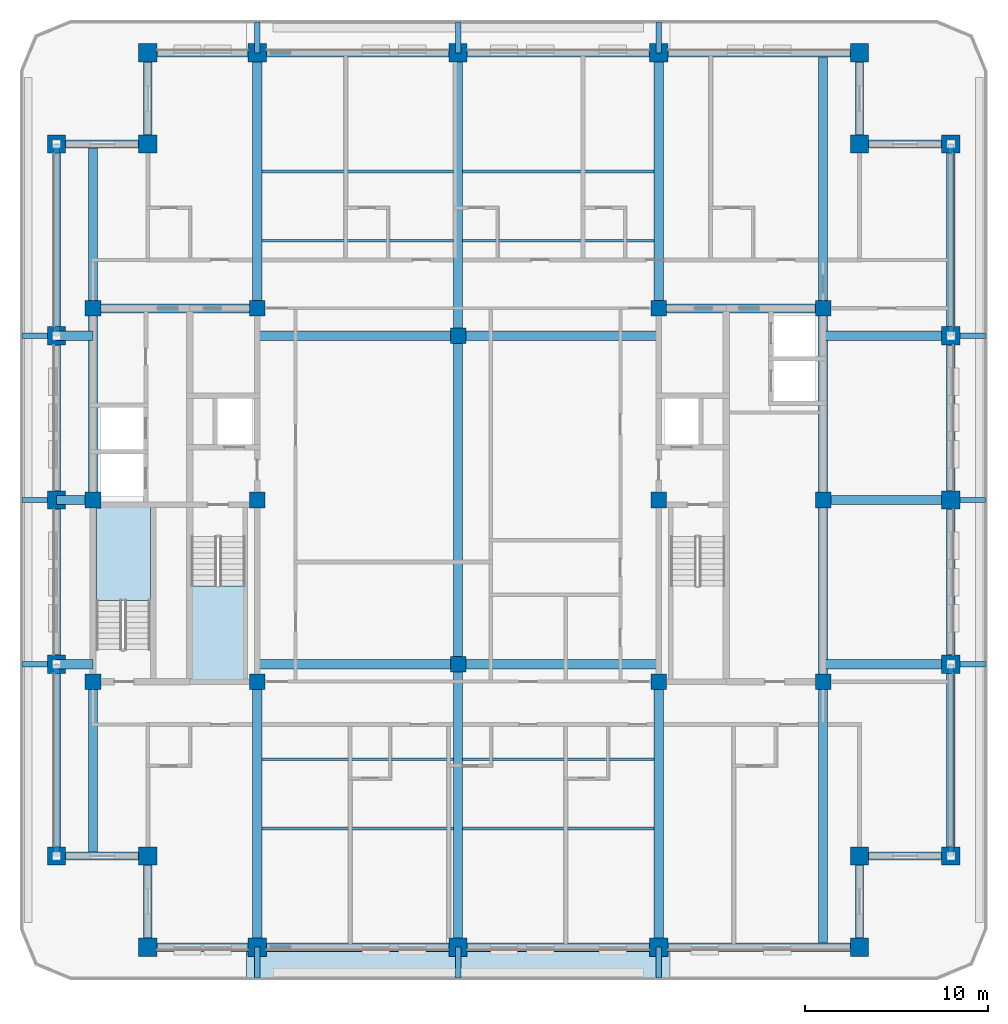
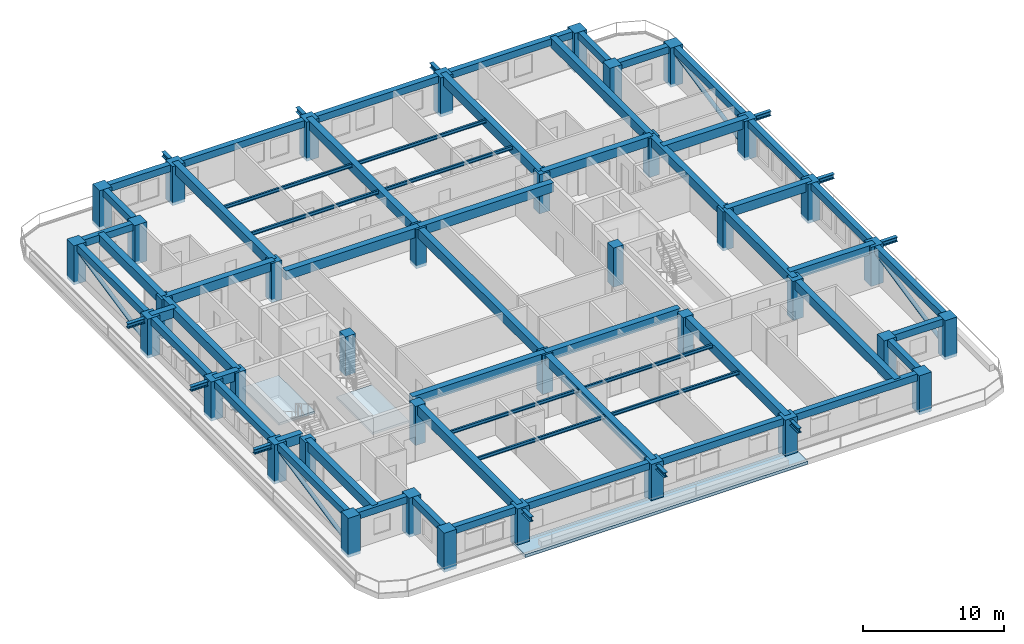
# One storey, part 1 of 13: 70 beams, 38 columns, 4 members, 3 slabs, 2 elements without a shape of their own.
"""IFC4 building model written with IfcOpenShell, lengths in metres."""

from ifc_helpers import new_model, si_unit, direction, frame, origin, origin_2d, place, context, subcontext, project, spatial, polyline, rectangle, hollow_circle, i_section, outline, extrude, material, layer, layer_set, material_profile, profile_set, type_object, element, aggregate, save


model = new_model("IFC4")

# Units and contexts
model_context = context("Model", 3, precision=1e-05, world=origin(), true_north=direction((0.0, 1.0)))
body_context = subcontext(model_context, "Body", "Model", "MODEL_VIEW")
ifc_project = project(units=[si_unit("LENGTHUNIT", "METRE"), si_unit("AREAUNIT", "SQUARE_METRE"), si_unit("VOLUMEUNIT", "CUBIC_METRE"), si_unit("PLANEANGLEUNIT", "RADIAN"), si_unit("MASSUNIT", "GRAM", prefix="KILO")], contexts=[model_context])

# Site, building, storey
site_placement = place(None, origin())
site = spatial("IfcSite", under=ifc_project, at=site_placement, CompositionType="ELEMENT")
building_placement = place(site_placement, origin())
building = spatial("IfcBuilding", under=site, at=building_placement, Name="Zulmaris Gate Convention Tower", CompositionType="ELEMENT")
storey_placement = place(building_placement, frame((0.0, 0.0, 166.059814453125)))
storey = spatial("IfcBuildingStorey", under=building, at=storey_placement, Name="L42", CompositionType="ELEMENT", Elevation=166.059814453125)

# Columns
ifc_material_1 = material(Name="Concrete C60/75", Category="concrete")
ifc_material_profile_1 = material_profile(ifc_material_1, rectangle(XDim=1.0, YDim=1.0, at=origin_2d()), Name="RC COL 1000x1000")
ifc_profile_set_1 = profile_set([ifc_material_profile_1], Name="Concrete C60/75")
column_type_1 = type_object("IfcColumnType", Name="COL-RC1000", PredefinedType="COLUMN", material=ifc_profile_set_1)
for number, where, z_axis, x_axis, name in (
    (1, (-17.0, -24.5, -0.25), (0.0, 0.0, 1.0), (1.0, 0.0, 0.0), "L42 Column PT--17.00_-24.50"),
    (2, (-11.0, -24.5, -0.25), (0.0, 0.0, 1.0), (1.0, 0.0, 0.0), "L42 Column PT--11.00_-24.50"),
    (3, (0.0, -24.5, -0.25), (0.0, 0.0, 1.0), (1.0, 0.0, 0.0), "L42 Column PT-+0.00_-24.50"),
    (4, (11.0, -24.5, -0.25), (0.0, 0.0, 1.0), (1.0, 0.0, 0.0), "L42 Column PT-+11.00_-24.50"),
    (5, (22.0, -24.5, -0.25), (0.0, 0.0, 1.0), (1.0, 0.0, 0.0), "L42 Column PT-+22.00_-24.50"),
    (6, (-17.0, 24.5, -0.25), (0.0, 0.0, 1.0), (1.0, 0.0, 0.0), "L42 Column PT--17.00_+24.50"),
    (7, (-11.0, 24.5, -0.25), (0.0, 0.0, 1.0), (1.0, 0.0, 0.0), "L42 Column PT--11.00_+24.50"),
    (8, (0.0, 24.5, -0.25), (0.0, 0.0, 1.0), (1.0, 0.0, 0.0), "L42 Column PT-+0.00_+24.50"),
    (9, (11.0, 24.5, -0.25), (0.0, 0.0, 1.0), (1.0, 0.0, 0.0), "L42 Column PT-+11.00_+24.50"),
    (10, (22.0, 24.5, -0.25), (0.0, 0.0, 1.0), (1.0, 0.0, 0.0), "L42 Column PT-+22.00_+24.50"),
    (11, (-22.0, -19.5, -0.25), (0.0, 0.0, 1.0), (1.0, 0.0, 0.0), "L42 Column PT--22.00_-19.50"),
    (12, (-22.0, -9.0, -0.25), (0.0, 0.0, 1.0), (1.0, 0.0, 0.0), "L42 Column PT--22.00_-9.00"),
    (13, (-22.0, 0.0, -0.25), (0.0, 0.0, 1.0), (1.0, 0.0, 0.0), "L42 Column PT--22.00_+0.00"),
    (14, (-22.0, 9.0, -0.25), (0.0, 0.0, 1.0), (1.0, 0.0, 0.0), "L42 Column PT--22.00_+9.00"),
    (15, (-22.0, 19.5, -0.25), (0.0, 0.0, 1.0), (1.0, 0.0, 0.0), "L42 Column PT--22.00_+19.50"),
    (16, (27.0, -19.5, -0.25), (0.0, 0.0, 1.0), (1.0, 0.0, 0.0), "L42 Column PT-+27.00_-19.50"),
    (17, (27.0, -9.0, -0.25), (0.0, 0.0, 1.0), (1.0, 0.0, 0.0), "L42 Column PT-+27.00_-9.00"),
    (18, (27.0, 0.0, -0.25), (0.0, 0.0, 1.0), (1.0, 0.0, 0.0), "L42 Column PT-+27.00_+0.00"),
    (19, (27.0, 9.0, -0.25), (0.0, 0.0, 1.0), (1.0, 0.0, 0.0), "L42 Column PT-+27.00_+9.00"),
    (20, (27.0, 19.5, -0.25), (0.0, 0.0, 1.0), (1.0, 0.0, 0.0), "L42 Column PT-+27.00_+19.50"),
    (21, (-17.0, -19.5, -0.25), (0.0, 0.0, 1.0), (1.0, 0.0, 0.0), "L42 Column PT--17.00_-19.50"),
    (22, (22.0, -19.5, -0.25), (0.0, 0.0, 1.0), (1.0, 0.0, 0.0), "L42 Column PT-+22.00_-19.50"),
    (23, (22.0, 19.5, -0.25), (0.0, 0.0, 1.0), (1.0, 0.0, 0.0), "L42 Column PT-+22.00_+19.50"),
    (24, (-17.0, 19.5, -0.25), (0.0, 0.0, 1.0), (1.0, 0.0, 0.0), "L42 Column PT--17.00_+19.50"),
):
    element("IfcColumn", number, at=place(storey_placement, frame(where, z_axis=z_axis, x_axis=x_axis)), inside=storey, type_object=column_type_1, Name=name, PredefinedType="COLUMN", context=body_context, shape_type="SweptSolid", body=[
        extrude(rectangle(XDim=1.0, YDim=1.0, at=origin_2d()), origin(), (0.0, 0.0, 1.0), 3.400146484375),
    ])
ifc_material_profile_2 = material_profile(ifc_material_1, rectangle(XDim=0.85009765625, YDim=0.85009765625, at=origin_2d()), Name="RC COL 850x850")
ifc_profile_set_2 = profile_set([ifc_material_profile_2], Name="Concrete C60/75")
column_type_2 = type_object("IfcColumnType", Name="COL-RC850", PredefinedType="COLUMN", material=ifc_profile_set_2)
for number, where, z_axis, x_axis, name in (
    (25, (-20.0, -9.949951171875, -0.25), (0.0, 0.0, 1.0), (1.0, 0.0, 0.0), "L42 Column IN--20.00_-9.95"),
    (26, (-20.0, 10.5, -0.25), (0.0, 0.0, 1.0), (1.0, 0.0, 0.0), "L42 Column IN--20.00_+10.50"),
    (27, (-11.0, -9.949951171875, -0.25), (0.0, 0.0, 1.0), (1.0, 0.0, 0.0), "L42 Column IN--11.00_-9.95"),
    (28, (-11.0, 0.0, -0.25), (0.0, 0.0, 1.0), (1.0, 0.0, 0.0), "L42 Column IN--11.00_+0.00"),
    (29, (-11.0, 10.5, -0.25), (0.0, 0.0, 1.0), (1.0, 0.0, 0.0), "L42 Column IN--11.00_+10.50"),
    (30, (11.0, -9.949951171875, -0.25), (0.0, 0.0, 1.0), (1.0, 0.0, 0.0), "L42 Column IN-+11.00_-9.95"),
    (31, (11.0, 0.0, -0.25), (0.0, 0.0, 1.0), (1.0, 0.0, 0.0), "L42 Column IN-+11.00_+0.00"),
    (32, (11.0, 10.5, -0.25), (0.0, 0.0, 1.0), (1.0, 0.0, 0.0), "L42 Column IN-+11.00_+10.50"),
    (33, (20.0, -9.949951171875, -0.25), (0.0, 0.0, 1.0), (1.0, 0.0, 0.0), "L42 Column IN-+20.00_-9.95"),
    (34, (20.0, 10.5, -0.25), (0.0, 0.0, 1.0), (1.0, 0.0, 0.0), "L42 Column IN-+20.00_+10.50"),
    (35, (0.0, -9.0, -0.25), (0.0, 0.0, 1.0), (1.0, 0.0, 0.0), "L42 Column IN-+0.00_-9.00"),
    (36, (0.0, 9.0, -0.25), (0.0, 0.0, 1.0), (1.0, 0.0, 0.0), "L42 Column IN-+0.00_+9.00"),
    (37, (-20.0, 0.0, -0.25), (0.0, 0.0, 1.0), (1.0, 0.0, 0.0), "L42 Column IN--20.00_+0.00"),
    (38, (20.0, 0.0, -0.25), (0.0, 0.0, 1.0), (1.0, 0.0, 0.0), "L42 Column IN-+20.00_+0.00"),
):
    element("IfcColumn", number, at=place(storey_placement, frame(where, z_axis=z_axis, x_axis=x_axis)), inside=storey, type_object=column_type_2, Name=name, PredefinedType="COLUMN", context=body_context, shape_type="SweptSolid", body=[
        extrude(rectangle(XDim=0.85009765625, YDim=0.85009765625, at=origin_2d()), origin(), (0.0, 0.0, 1.0), 3.400146484375),
    ])

# Beams
ifc_material_2 = material(Name="Steel S355", Category="steel")
ifc_material_profile_3 = material_profile(ifc_material_2, i_section(OverallWidth=0.300048828125, OverallDepth=0.39990234375, WebThickness=0.013427734375, FlangeThickness=0.02392578125, FilletRadius=0.027099609375, at=origin_2d()), Name="HEB 400")
ifc_profile_set_3 = profile_set([ifc_material_profile_3], Name="Steel S355")
beam_type_1 = type_object("IfcBeamType", Name="BM-HEB400", PredefinedType="BEAM", material=ifc_profile_set_3)
for number, where, z_axis, x_axis, name in (
    (39, (-11.0, -26.199951171875, 2.810302734375), (0.0, 1.0, 0.0), (-1.0, 0.0, 0.0), "L42 Beam TBRK-L42-S--11"),
    (40, (-11.0, 24.5, 2.810302734375), (0.0, 1.0, 0.0), (-1.0, 0.0, 0.0), "L42 Beam TBRK-L42-N--11"),
    (41, (0.0, -26.199951171875, 2.810302734375), (0.0, 1.0, 0.0), (-1.0, 0.0, 0.0), "L42 Beam TBRK-L42-S-+0"),
    (42, (0.0, 24.5, 2.810302734375), (0.0, 1.0, 0.0), (-1.0, 0.0, 0.0), "L42 Beam TBRK-L42-N-+0"),
    (43, (11.0, -26.199951171875, 2.810302734375), (0.0, 1.0, 0.0), (-1.0, 0.0, 0.0), "L42 Beam TBRK-L42-S-+11"),
    (44, (11.0, 24.5, 2.810302734375), (0.0, 1.0, 0.0), (-1.0, 0.0, 0.0), "L42 Beam TBRK-L42-N-+11"),
):
    element("IfcBeam", number, at=place(storey_placement, frame(where, z_axis=z_axis, x_axis=x_axis)), inside=storey, type_object=beam_type_1, Name=name, PredefinedType="BEAM", context=body_context, shape_type="SweptSolid", body=[
        extrude(i_section(OverallWidth=0.300048828125, OverallDepth=0.39990234375, WebThickness=0.013427734375, FlangeThickness=0.02392578125, FilletRadius=0.027099609375, at=origin_2d()), origin(), (0.0, 0.0, 1.0), 1.699951171875),
    ])
for number, where, z_axis, x_axis, name in (
    (45, (-23.89990234375, -9.0, 2.810302734375), (1.0, 0.0, 0.0), (0.0, 1.0, 0.0), "L42 Beam TBRK-L42-W--9"),
    (46, (27.0, -9.0, 2.810302734375), (1.0, 0.0, 0.0), (0.0, 1.0, 0.0), "L42 Beam TBRK-L42-E--9"),
    (47, (-23.89990234375, 0.0, 2.810302734375), (1.0, 0.0, 0.0), (0.0, 1.0, 0.0), "L42 Beam TBRK-L42-W-+0"),
    (48, (27.0, 0.0, 2.810302734375), (1.0, 0.0, 0.0), (0.0, 1.0, 0.0), "L42 Beam TBRK-L42-E-+0"),
    (49, (-23.89990234375, 9.0, 2.810302734375), (1.0, 0.0, 0.0), (0.0, 1.0, 0.0), "L42 Beam TBRK-L42-W-+9"),
    (50, (27.0, 9.0, 2.810302734375), (1.0, 0.0, 0.0), (0.0, 1.0, 0.0), "L42 Beam TBRK-L42-E-+9"),
):
    element("IfcBeam", number, at=place(storey_placement, frame(where, z_axis=z_axis, x_axis=x_axis)), inside=storey, type_object=beam_type_1, Name=name, PredefinedType="BEAM", context=body_context, shape_type="SweptSolid", body=[
        extrude(i_section(OverallWidth=0.300048828125, OverallDepth=0.39990234375, WebThickness=0.013427734375, FlangeThickness=0.02392578125, FilletRadius=0.027099609375, at=origin_2d()), origin(), (0.0, 0.0, 1.0), 1.89990234375),
    ])
ifc_material_3 = material(Name="Concrete C50/60", Category="concrete")
ifc_material_profile_4 = material_profile(ifc_material_3, rectangle(XDim=0.5, YDim=0.800048828125, at=origin_2d()), Name="RC BEAM 500x800")
ifc_profile_set_4 = profile_set([ifc_material_profile_4], Name="Concrete C50/60")
beam_type_2 = type_object("IfcBeamType", Name="BM-RC500x800", PredefinedType="BEAM", material=ifc_profile_set_4)
for number, where, z_axis, x_axis, name in (
    (51, (-11.0, -9.0, 2.750244140625), (1.0, 0.0, 0.0), (0.0, 1.0, 0.0), "L42 Beam BM-L42-G01"),
    (52, (0.0, -9.0, 2.750244140625), (1.0, 0.0, 0.0), (0.0, 1.0, 0.0), "L42 Beam BM-L42-G02"),
    (53, (-11.0, 9.0, 2.750244140625), (1.0, 0.0, 0.0), (0.0, 1.0, 0.0), "L42 Beam BM-L42-G03"),
    (54, (0.0, 9.0, 2.750244140625), (1.0, 0.0, 0.0), (0.0, 1.0, 0.0), "L42 Beam BM-L42-G04"),
):
    element("IfcBeam", number, at=place(storey_placement, frame(where, z_axis=z_axis, x_axis=x_axis)), inside=storey, type_object=beam_type_2, Name=name, PredefinedType="BEAM", context=body_context, shape_type="SweptSolid", body=[
        extrude(rectangle(XDim=0.5, YDim=0.800048828125, at=origin_2d()), origin(), (0.0, 0.0, 1.0), 11.0),
    ])
beam_1_placement = place(storey_placement, frame((0.0, -24.5, 2.750244140625), z_axis=(0.0, 1.0, 0.0), x_axis=(-1.0, 0.0, 0.0)))
element("IfcBeam", 55, at=beam_1_placement, inside=storey, type_object=beam_type_2, Name="L42 Beam BM-L42-G05", PredefinedType="BEAM", context=body_context, shape_type="SweptSolid", body=[
    extrude(rectangle(XDim=0.5, YDim=0.800048828125, at=origin_2d()), origin(), (0.0, 0.0, 1.0), 15.5),
])
beam_2_placement = place(storey_placement, frame((0.0, -9.0, 2.750244140625), z_axis=(0.0, 1.0, 0.0), x_axis=(-1.0, 0.0, 0.0)))
element("IfcBeam", 56, at=beam_2_placement, inside=storey, type_object=beam_type_2, Name="L42 Beam BM-L42-G06", PredefinedType="BEAM", context=body_context, shape_type="SweptSolid", body=[
    extrude(rectangle(XDim=0.5, YDim=0.800048828125, at=origin_2d()), origin(), (0.0, 0.0, 1.0), 18.0),
])
beam_3_placement = place(storey_placement, frame((0.0, 9.0, 2.750244140625), z_axis=(0.0, 1.0, 0.0), x_axis=(-1.0, 0.0, 0.0)))
element("IfcBeam", 57, at=beam_3_placement, inside=storey, type_object=beam_type_2, Name="L42 Beam BM-L42-G07", PredefinedType="BEAM", context=body_context, shape_type="SweptSolid", body=[
    extrude(rectangle(XDim=0.5, YDim=0.800048828125, at=origin_2d()), origin(), (0.0, 0.0, 1.0), 15.5),
])
beam_4_placement = place(storey_placement, frame((-11.0, -24.5, 2.750244140625), z_axis=(0.0, 1.0, 0.0), x_axis=(-1.0, 0.0, 0.0)))
element("IfcBeam", 58, at=beam_4_placement, inside=storey, type_object=beam_type_2, Name="L42 Beam BM-L42-G08", PredefinedType="BEAM", context=body_context, shape_type="SweptSolid", body=[
    extrude(rectangle(XDim=0.5, YDim=0.800048828125, at=origin_2d()), origin(), (0.0, 0.0, 1.0), 14.550048828125),
])
beam_5_placement = place(storey_placement, frame((-11.0, 10.5, 2.750244140625), z_axis=(0.0, 1.0, 0.0), x_axis=(-1.0, 0.0, 0.0)))
element("IfcBeam", 59, at=beam_5_placement, inside=storey, type_object=beam_type_2, Name="L42 Beam BM-L42-G09", PredefinedType="BEAM", context=body_context, shape_type="SweptSolid", body=[
    extrude(rectangle(XDim=0.5, YDim=0.800048828125, at=origin_2d()), origin(), (0.0, 0.0, 1.0), 14.0),
])
beam_6_placement = place(storey_placement, frame((11.0, -24.5, 2.750244140625), z_axis=(0.0, 1.0, 0.0), x_axis=(-1.0, 0.0, 0.0)))
element("IfcBeam", 60, at=beam_6_placement, inside=storey, type_object=beam_type_2, Name="L42 Beam BM-L42-G10", PredefinedType="BEAM", context=body_context, shape_type="SweptSolid", body=[
    extrude(rectangle(XDim=0.5, YDim=0.800048828125, at=origin_2d()), origin(), (0.0, 0.0, 1.0), 14.550048828125),
])
beam_7_placement = place(storey_placement, frame((11.0, 10.5, 2.750244140625), z_axis=(0.0, 1.0, 0.0), x_axis=(-1.0, 0.0, 0.0)))
element("IfcBeam", 61, at=beam_7_placement, inside=storey, type_object=beam_type_2, Name="L42 Beam BM-L42-G11", PredefinedType="BEAM", context=body_context, shape_type="SweptSolid", body=[
    extrude(rectangle(XDim=0.5, YDim=0.800048828125, at=origin_2d()), origin(), (0.0, 0.0, 1.0), 14.0),
])
beam_8_placement = place(storey_placement, frame((-20.0, -19.5, 2.750244140625), z_axis=(0.0, 1.0, 0.0), x_axis=(-1.0, 0.0, 0.0)))
element("IfcBeam", 62, at=beam_8_placement, inside=storey, type_object=beam_type_2, Name="L42 Beam BM-L42-G12", PredefinedType="BEAM", context=body_context, shape_type="SweptSolid", body=[
    extrude(rectangle(XDim=0.5, YDim=0.800048828125, at=origin_2d()), origin(), (0.0, 0.0, 1.0), 9.550048828125),
])
beam_9_placement = place(storey_placement, frame((-20.0, 10.5, 2.750244140625), z_axis=(0.0, 1.0, 0.0), x_axis=(-1.0, 0.0, 0.0)))
element("IfcBeam", 63, at=beam_9_placement, inside=storey, type_object=beam_type_2, Name="L42 Beam BM-L42-G13", PredefinedType="BEAM", context=body_context, shape_type="SweptSolid", body=[
    extrude(rectangle(XDim=0.5, YDim=0.800048828125, at=origin_2d()), origin(), (0.0, 0.0, 1.0), 9.0),
])
beam_10_placement = place(storey_placement, frame((20.0, -24.5, 2.750244140625), z_axis=(0.0, 1.0, 0.0), x_axis=(-1.0, 0.0, 0.0)))
element("IfcBeam", 64, at=beam_10_placement, inside=storey, type_object=beam_type_2, Name="L42 Beam BM-L42-G14", PredefinedType="BEAM", context=body_context, shape_type="SweptSolid", body=[
    extrude(rectangle(XDim=0.5, YDim=0.800048828125, at=origin_2d()), origin(), (0.0, 0.0, 1.0), 14.550048828125),
])
beam_11_placement = place(storey_placement, frame((20.0, 10.5, 2.750244140625), z_axis=(0.0, 1.0, 0.0), x_axis=(-1.0, 0.0, 0.0)))
element("IfcBeam", 65, at=beam_11_placement, inside=storey, type_object=beam_type_2, Name="L42 Beam BM-L42-G15", PredefinedType="BEAM", context=body_context, shape_type="SweptSolid", body=[
    extrude(rectangle(XDim=0.5, YDim=0.800048828125, at=origin_2d()), origin(), (0.0, 0.0, 1.0), 14.0),
])
for number, where, z_axis, x_axis, name in (
    (66, (-22.0, -9.0, 2.750244140625), (1.0, 0.0, 0.0), (0.0, 1.0, 0.0), "L42 Beam BM-L42-G16"),
    (67, (-22.0, 0.0, 2.750244140625), (1.0, 0.0, 0.0), (0.0, 1.0, 0.0), "L42 Beam BM-L42-G17"),
    (68, (-22.0, 9.0, 2.750244140625), (1.0, 0.0, 0.0), (0.0, 1.0, 0.0), "L42 Beam BM-L42-G18"),
):
    element("IfcBeam", number, at=place(storey_placement, frame(where, z_axis=z_axis, x_axis=x_axis)), inside=storey, type_object=beam_type_2, Name=name, PredefinedType="BEAM", context=body_context, shape_type="SweptSolid", body=[
        extrude(rectangle(XDim=0.5, YDim=0.800048828125, at=origin_2d()), origin(), (0.0, 0.0, 1.0), 2.0),
    ])
for number, where, z_axis, x_axis, name in (
    (69, (20.0, -9.0, 2.750244140625), (1.0, 0.0, 0.0), (0.0, 1.0, 0.0), "L42 Beam BM-L42-G19"),
    (70, (20.0, 0.0, 2.750244140625), (1.0, 0.0, 0.0), (0.0, 1.0, 0.0), "L42 Beam BM-L42-G20"),
    (71, (20.0, 9.0, 2.750244140625), (1.0, 0.0, 0.0), (0.0, 1.0, 0.0), "L42 Beam BM-L42-G21"),
):
    element("IfcBeam", number, at=place(storey_placement, frame(where, z_axis=z_axis, x_axis=x_axis)), inside=storey, type_object=beam_type_2, Name=name, PredefinedType="BEAM", context=body_context, shape_type="SweptSolid", body=[
        extrude(rectangle(XDim=0.5, YDim=0.800048828125, at=origin_2d()), origin(), (0.0, 0.0, 1.0), 7.0),
    ])
for number, where, z_axis, x_axis, name in (
    (72, (-20.0, 10.5, 2.750244140625), (1.0, 0.0, 0.0), (0.0, 1.0, 0.0), "L42 Beam BM-L42-G23"),
    (73, (11.0, 10.5, 2.750244140625), (1.0, 0.0, 0.0), (0.0, 1.0, 0.0), "L42 Beam BM-L42-G25"),
):
    element("IfcBeam", number, at=place(storey_placement, frame(where, z_axis=z_axis, x_axis=x_axis)), inside=storey, type_object=beam_type_2, Name=name, PredefinedType="BEAM", context=body_context, shape_type="SweptSolid", body=[
        extrude(rectangle(XDim=0.5, YDim=0.800048828125, at=origin_2d()), origin(), (0.0, 0.0, 1.0), 9.0),
    ])
beam_12_placement = place(storey_placement, frame((-20.0, 0.0, 2.750244140625), z_axis=(0.0, 1.0, 0.0), x_axis=(-1.0, 0.0, 0.0)))
element("IfcBeam", 74, at=beam_12_placement, inside=storey, type_object=beam_type_2, Name="L42 Beam BM-L42-G27", PredefinedType="BEAM", context=body_context, shape_type="SweptSolid", body=[
    extrude(rectangle(XDim=0.5, YDim=0.800048828125, at=origin_2d()), origin(), (0.0, 0.0, 1.0), 10.5),
])
beam_13_placement = place(storey_placement, frame((20.0, -9.949951171875, 2.750244140625), z_axis=(0.0, 1.0, 0.0), x_axis=(-1.0, 0.0, 0.0)))
element("IfcBeam", 75, at=beam_13_placement, inside=storey, type_object=beam_type_2, Name="L42 Beam BM-L42-G28", PredefinedType="BEAM", context=body_context, shape_type="SweptSolid", body=[
    extrude(rectangle(XDim=0.5, YDim=0.800048828125, at=origin_2d()), origin(), (0.0, 0.0, 1.0), 9.949951171875),
])
beam_14_placement = place(storey_placement, frame((20.0, 0.0, 2.750244140625), z_axis=(0.0, 1.0, 0.0), x_axis=(-1.0, 0.0, 0.0)))
element("IfcBeam", 76, at=beam_14_placement, inside=storey, type_object=beam_type_2, Name="L42 Beam BM-L42-G29", PredefinedType="BEAM", context=body_context, shape_type="SweptSolid", body=[
    extrude(rectangle(XDim=0.5, YDim=0.800048828125, at=origin_2d()), origin(), (0.0, 0.0, 1.0), 10.5),
])
ifc_material_4 = material(Name="Precast concrete C50/60", Category="concrete")
ifc_material_profile_5 = material_profile(ifc_material_4, rectangle(XDim=0.449951171875, YDim=0.60009765625, at=origin_2d()), Name="RC SPANDREL 450x600")
ifc_profile_set_5 = profile_set([ifc_material_profile_5], Name="Precast concrete C50/60")
beam_type_3 = type_object("IfcBeamType", Name="BM-SP450x600", PredefinedType="SPANDREL", material=ifc_profile_set_5)
beam_15_placement = place(storey_placement, frame((-17.0, -24.5, 2.85009765625), z_axis=(1.0, 0.0, 0.0), x_axis=(0.0, 1.0, 0.0)))
element("IfcBeam", 77, at=beam_15_placement, inside=storey, type_object=beam_type_3, Name="L42 Spandrel SP-L42-01", PredefinedType="SPANDREL", context=body_context, shape_type="SweptSolid", body=[
    extrude(rectangle(XDim=0.449951171875, YDim=0.60009765625, at=origin_2d()), origin(), (0.0, 0.0, 1.0), 6.0),
])
for number, where, z_axis, x_axis, name in (
    (78, (-11.0, -24.5, 2.85009765625), (1.0, 0.0, 0.0), (0.0, 1.0, 0.0), "L42 Spandrel SP-L42-02"),
    (79, (0.0, -24.5, 2.85009765625), (1.0, 0.0, 0.0), (0.0, 1.0, 0.0), "L42 Spandrel SP-L42-03"),
    (80, (11.0, -24.5, 2.85009765625), (1.0, 0.0, 0.0), (0.0, 1.0, 0.0), "L42 Spandrel SP-L42-04"),
):
    element("IfcBeam", number, at=place(storey_placement, frame(where, z_axis=z_axis, x_axis=x_axis)), inside=storey, type_object=beam_type_3, Name=name, PredefinedType="SPANDREL", context=body_context, shape_type="SweptSolid", body=[
        extrude(rectangle(XDim=0.449951171875, YDim=0.60009765625, at=origin_2d()), origin(), (0.0, 0.0, 1.0), 11.0),
    ])
for number, where, z_axis, x_axis, name in (
    (81, (22.0, -24.5, 2.85009765625), (0.0, 1.0, 0.0), (-1.0, 0.0, 0.0), "L42 Spandrel SP-L42-05"),
    (82, (22.0, -19.5, 2.85009765625), (1.0, 0.0, 0.0), (0.0, 1.0, 0.0), "L42 Spandrel SP-L42-06"),
):
    element("IfcBeam", number, at=place(storey_placement, frame(where, z_axis=z_axis, x_axis=x_axis)), inside=storey, type_object=beam_type_3, Name=name, PredefinedType="SPANDREL", context=body_context, shape_type="SweptSolid", body=[
        extrude(rectangle(XDim=0.449951171875, YDim=0.60009765625, at=origin_2d()), origin(), (0.0, 0.0, 1.0), 5.0),
    ])
beam_16_placement = place(storey_placement, frame((27.0, -19.5, 2.85009765625), z_axis=(0.0, 1.0, 0.0), x_axis=(-1.0, 0.0, 0.0)))
element("IfcBeam", 83, at=beam_16_placement, inside=storey, type_object=beam_type_3, Name="L42 Spandrel SP-L42-07", PredefinedType="SPANDREL", context=body_context, shape_type="SweptSolid", body=[
    extrude(rectangle(XDim=0.449951171875, YDim=0.60009765625, at=origin_2d()), origin(), (0.0, 0.0, 1.0), 10.5),
])
for number, where, z_axis, x_axis, name in (
    (84, (27.0, -9.0, 2.85009765625), (0.0, 1.0, 0.0), (-1.0, 0.0, 0.0), "L42 Spandrel SP-L42-08"),
    (85, (27.0, 0.0, 2.85009765625), (0.0, 1.0, 0.0), (-1.0, 0.0, 0.0), "L42 Spandrel SP-L42-09"),
):
    element("IfcBeam", number, at=place(storey_placement, frame(where, z_axis=z_axis, x_axis=x_axis)), inside=storey, type_object=beam_type_3, Name=name, PredefinedType="SPANDREL", context=body_context, shape_type="SweptSolid", body=[
        extrude(rectangle(XDim=0.449951171875, YDim=0.60009765625, at=origin_2d()), origin(), (0.0, 0.0, 1.0), 9.0),
    ])
beam_17_placement = place(storey_placement, frame((27.0, 9.0, 2.85009765625), z_axis=(0.0, 1.0, 0.0), x_axis=(-1.0, 0.0, 0.0)))
element("IfcBeam", 86, at=beam_17_placement, inside=storey, type_object=beam_type_3, Name="L42 Spandrel SP-L42-10", PredefinedType="SPANDREL", context=body_context, shape_type="SweptSolid", body=[
    extrude(rectangle(XDim=0.449951171875, YDim=0.60009765625, at=origin_2d()), origin(), (0.0, 0.0, 1.0), 10.5),
])
for number, where, z_axis, x_axis, name in (
    (87, (27.0, 19.5, 2.85009765625), (-1.0, 0.0, 0.0), (0.0, -1.0, 0.0), "L42 Spandrel SP-L42-11"),
    (88, (22.0, 19.5, 2.85009765625), (0.0, 1.0, 0.0), (-1.0, 0.0, 0.0), "L42 Spandrel SP-L42-12"),
):
    element("IfcBeam", number, at=place(storey_placement, frame(where, z_axis=z_axis, x_axis=x_axis)), inside=storey, type_object=beam_type_3, Name=name, PredefinedType="SPANDREL", context=body_context, shape_type="SweptSolid", body=[
        extrude(rectangle(XDim=0.449951171875, YDim=0.60009765625, at=origin_2d()), origin(), (0.0, 0.0, 1.0), 5.0),
    ])
for number, where, z_axis, x_axis, name in (
    (89, (22.0, 24.5, 2.85009765625), (-1.0, 0.0, 0.0), (0.0, -1.0, 0.0), "L42 Spandrel SP-L42-13"),
    (90, (11.0, 24.5, 2.85009765625), (-1.0, 0.0, 0.0), (0.0, -1.0, 0.0), "L42 Spandrel SP-L42-14"),
    (91, (0.0, 24.5, 2.85009765625), (-1.0, 0.0, 0.0), (0.0, -1.0, 0.0), "L42 Spandrel SP-L42-15"),
):
    element("IfcBeam", number, at=place(storey_placement, frame(where, z_axis=z_axis, x_axis=x_axis)), inside=storey, type_object=beam_type_3, Name=name, PredefinedType="SPANDREL", context=body_context, shape_type="SweptSolid", body=[
        extrude(rectangle(XDim=0.449951171875, YDim=0.60009765625, at=origin_2d()), origin(), (0.0, 0.0, 1.0), 11.0),
    ])
beam_18_placement = place(storey_placement, frame((-11.0, 24.5, 2.85009765625), z_axis=(-1.0, 0.0, 0.0), x_axis=(0.0, -1.0, 0.0)))
element("IfcBeam", 92, at=beam_18_placement, inside=storey, type_object=beam_type_3, Name="L42 Spandrel SP-L42-16", PredefinedType="SPANDREL", context=body_context, shape_type="SweptSolid", body=[
    extrude(rectangle(XDim=0.449951171875, YDim=0.60009765625, at=origin_2d()), origin(), (0.0, 0.0, 1.0), 6.0),
])
for number, where, z_axis, x_axis, name in (
    (93, (-17.0, 24.5, 2.85009765625), (0.0, -1.0, 0.0), (1.0, 0.0, 0.0), "L42 Spandrel SP-L42-17"),
    (94, (-17.0, 19.5, 2.85009765625), (-1.0, 0.0, 0.0), (0.0, -1.0, 0.0), "L42 Spandrel SP-L42-18"),
):
    element("IfcBeam", number, at=place(storey_placement, frame(where, z_axis=z_axis, x_axis=x_axis)), inside=storey, type_object=beam_type_3, Name=name, PredefinedType="SPANDREL", context=body_context, shape_type="SweptSolid", body=[
        extrude(rectangle(XDim=0.449951171875, YDim=0.60009765625, at=origin_2d()), origin(), (0.0, 0.0, 1.0), 5.0),
    ])
beam_19_placement = place(storey_placement, frame((-22.0, 19.5, 2.85009765625), z_axis=(0.0, -1.0, 0.0), x_axis=(1.0, 0.0, 0.0)))
element("IfcBeam", 95, at=beam_19_placement, inside=storey, type_object=beam_type_3, Name="L42 Spandrel SP-L42-19", PredefinedType="SPANDREL", context=body_context, shape_type="SweptSolid", body=[
    extrude(rectangle(XDim=0.449951171875, YDim=0.60009765625, at=origin_2d()), origin(), (0.0, 0.0, 1.0), 10.5),
])
for number, where, z_axis, x_axis, name in (
    (96, (-22.0, 9.0, 2.85009765625), (0.0, -1.0, 0.0), (1.0, 0.0, 0.0), "L42 Spandrel SP-L42-20"),
    (97, (-22.0, 0.0, 2.85009765625), (0.0, -1.0, 0.0), (1.0, 0.0, 0.0), "L42 Spandrel SP-L42-21"),
):
    element("IfcBeam", number, at=place(storey_placement, frame(where, z_axis=z_axis, x_axis=x_axis)), inside=storey, type_object=beam_type_3, Name=name, PredefinedType="SPANDREL", context=body_context, shape_type="SweptSolid", body=[
        extrude(rectangle(XDim=0.449951171875, YDim=0.60009765625, at=origin_2d()), origin(), (0.0, 0.0, 1.0), 9.0),
    ])
beam_20_placement = place(storey_placement, frame((-22.0, -9.0, 2.85009765625), z_axis=(0.0, -1.0, 0.0), x_axis=(1.0, 0.0, 0.0)))
element("IfcBeam", 98, at=beam_20_placement, inside=storey, type_object=beam_type_3, Name="L42 Spandrel SP-L42-22", PredefinedType="SPANDREL", context=body_context, shape_type="SweptSolid", body=[
    extrude(rectangle(XDim=0.449951171875, YDim=0.60009765625, at=origin_2d()), origin(), (0.0, 0.0, 1.0), 10.5),
])
for number, where, z_axis, x_axis, name in (
    (99, (-22.0, -19.5, 2.85009765625), (1.0, 0.0, 0.0), (0.0, 1.0, 0.0), "L42 Spandrel SP-L42-23"),
    (100, (-17.0, -19.5, 2.85009765625), (0.0, -1.0, 0.0), (1.0, 0.0, 0.0), "L42 Spandrel SP-L42-24"),
):
    element("IfcBeam", number, at=place(storey_placement, frame(where, z_axis=z_axis, x_axis=x_axis)), inside=storey, type_object=beam_type_3, Name=name, PredefinedType="SPANDREL", context=body_context, shape_type="SweptSolid", body=[
        extrude(rectangle(XDim=0.449951171875, YDim=0.60009765625, at=origin_2d()), origin(), (0.0, 0.0, 1.0), 5.0),
    ])

# Members
ifc_material_profile_6 = material_profile(ifc_material_2, hollow_circle(Radius=0.161865234375, WallThickness=0.01611328125, at=origin_2d()), Name="CHS 323.9x16")
ifc_profile_set_6 = profile_set([ifc_material_profile_6], Name="Steel S355")
member_type = type_object("IfcMemberType", Name="BR-CHS324", PredefinedType="BRACE", material=ifc_profile_set_6)
for number, where, z_axis, x_axis, name in (
    (101, (-22.0, -19.5, 0.300048828125), (0.0, 0.978178268729, 0.207767356883), (-1.0, 0.0, 0.0), "L42 Perimeter Tube Diagonal SW-W"),
    (102, (-22.0, 9.0, 0.300048828125), (0.0, 0.978178268729, 0.207767356883), (-1.0, 0.0, 0.0), "L42 Perimeter Tube Diagonal NW-W"),
    (103, (27.0, -19.5, 0.300048828125), (0.0, 0.978178268729, 0.207767356883), (-1.0, 0.0, 0.0), "L42 Perimeter Tube Diagonal SE-E"),
    (104, (27.0, 9.0, 0.300048828125), (0.0, 0.978178268729, 0.207767356883), (-1.0, 0.0, 0.0), "L42 Perimeter Tube Diagonal NE-E"),
):
    element("IfcMember", number, at=place(storey_placement, frame(where, z_axis=z_axis, x_axis=x_axis)), inside=storey, type_object=member_type, Name=name, PredefinedType="BRACE", context=body_context, shape_type="SweptSolid", body=[
        extrude(hollow_circle(Radius=0.161865234375, WallThickness=0.01611328125, at=origin_2d()), origin(), (0.0, 0.0, 1.0), 10.734130859375),
    ])

# Beams
ifc_material_profile_7 = material_profile(ifc_material_2, i_section(OverallWidth=0.14990234375, OverallDepth=0.300048828125, WebThickness=0.007080078125, FlangeThickness=0.0107421875, FilletRadius=0.014892578125, at=origin_2d()), Name="IPE 300")
ifc_profile_set_7 = profile_set([ifc_material_profile_7], Name="Steel S355")
beam_type_4 = type_object("IfcBeamType", Name="JT-IPE300", PredefinedType="JOIST", material=ifc_profile_set_7)
for number, where, z_axis, x_axis, name in (
    (105, (-10.75, -18.0, 2.998291015625), (1.0, 0.0, 0.0), (0.0, 1.0, 0.0), "L42 Joist JT-L42-CW--18.0"),
    (106, (0.25, -18.0, 2.998291015625), (1.0, 0.0, 0.0), (0.0, 1.0, 0.0), "L42 Joist JT-L42-CE--18.0"),
    (107, (-10.75, -14.199951171875, 2.998291015625), (1.0, 0.0, 0.0), (0.0, 1.0, 0.0), "L42 Joist JT-L42-CW--14.2"),
    (108, (0.25, -14.199951171875, 2.998291015625), (1.0, 0.0, 0.0), (0.0, 1.0, 0.0), "L42 Joist JT-L42-CE--14.2"),
    (109, (-10.75, 14.199951171875, 2.998291015625), (1.0, 0.0, 0.0), (0.0, 1.0, 0.0), "L42 Joist JT-L42-CW-+14.2"),
    (110, (0.25, 14.199951171875, 2.998291015625), (1.0, 0.0, 0.0), (0.0, 1.0, 0.0), "L42 Joist JT-L42-CE-+14.2"),
    (111, (-10.75, 18.0, 2.998291015625), (1.0, 0.0, 0.0), (0.0, 1.0, 0.0), "L42 Joist JT-L42-CW-+18.0"),
    (112, (0.25, 18.0, 2.998291015625), (1.0, 0.0, 0.0), (0.0, 1.0, 0.0), "L42 Joist JT-L42-CE-+18.0"),
):
    element("IfcBeam", number, at=place(storey_placement, frame(where, z_axis=z_axis, x_axis=x_axis)), inside=storey, type_object=beam_type_4, Name=name, PredefinedType="JOIST", context=body_context, shape_type="SweptSolid", body=[
        extrude(i_section(OverallWidth=0.14990234375, OverallDepth=0.300048828125, WebThickness=0.007080078125, FlangeThickness=0.0107421875, FilletRadius=0.014892578125, at=origin_2d()), origin(), (0.0, 0.0, 1.0), 10.5),
    ])

# Slab
ifc_layer_1 = layer(ifc_material_4, 0.260009765625, Name="Precast concrete C50/60")
ifc_layer_set_1 = layer_set([ifc_layer_1], Name="Precast concrete C50/60")
slab_type_1 = type_object("IfcSlabType", Name="SL-BAL-260", PredefinedType="FLOOR", material=ifc_layer_set_1)
slab_1_placement = place(storey_placement, frame((0.0, 0.0, -0.25)))
element("IfcSlab", 113, at=slab_1_placement, inside=storey, type_object=slab_type_1, Name="L42 South Tree-Balcony Planter Slab", PredefinedType="FLOOR", context=body_context, shape_type="SweptSolid", body=[
    extrude(outline(polyline([(-11.597900390625, -26.300048828125), (-11.597900390625, -24.5), (11.597900390625, -24.5), (11.597900390625, -26.300048828125), (-11.597900390625, -26.300048828125)])), origin(), (0.0, 0.0, 1.0), 0.260009765625),
])

# Stair, slab
ifc_material_5 = material(Name="Concrete C45/55", Category="concrete")
stair_type = type_object("IfcStairType", Name="ST-CORE-DOGLEG", PredefinedType="HALF_TURN_STAIR", material=ifc_material_5)
stair_1_placement = place(storey_placement, origin())
stair_1 = element("IfcStair", 114, at=stair_1_placement, inside=storey, type_object=stair_type, Name="L42 Core Exit Stair ST-1", PredefinedType="HALF_TURN_STAIR")
ifc_layer_2 = layer(ifc_material_5, 0.199951171875, Name="Concrete C45/55")
ifc_layer_set_2 = layer_set([ifc_layer_2], Name="Concrete C45/55")
slab_type_2 = type_object("IfcSlabType", Name="SL-LND-200", PredefinedType="LANDING", material=ifc_layer_set_2)
slab_2_placement = place(storey_placement, frame((0.0, 0.0, 1.5)))
slab_2 = element("IfcSlab", 115, at=slab_2_placement, type_object=slab_type_2, Name="ST-1 landing 1", PredefinedType="LANDING", context=body_context, shape_type="SweptSolid", body=[
    extrude(outline(polyline([(-14.6201171875, -4.699951171875), (-14.6201171875, -9.85009765625), (-11.659912109375, -9.85009765625), (-11.659912109375, -4.699951171875), (-14.6201171875, -4.699951171875)])), origin(), (0.0, 0.0, 1.0), 0.2001953125),
])
aggregate(stair_1, [slab_2])

stair_2_placement = place(storey_placement, origin())
stair_2 = element("IfcStair", 116, at=stair_2_placement, inside=storey, type_object=stair_type, Name="L42 Core Exit Stair ST-3", PredefinedType="HALF_TURN_STAIR")
slab_3_placement = place(storey_placement, frame((0.0, 0.0, 1.5)))
slab_3 = element("IfcSlab", 117, at=slab_3_placement, type_object=slab_type_2, Name="ST-3 landing 1", PredefinedType="LANDING", context=body_context, shape_type="SweptSolid", body=[
    extrude(outline(polyline([(-16.860107421875, -5.5), (-16.860107421875, -0.35009765625), (-19.820068359375, -0.35009765625), (-19.820068359375, -5.5), (-16.860107421875, -5.5)])), origin(), (0.0, 0.0, 1.0), 0.2001953125),
])
aggregate(stair_2, [slab_3])

save(model, "model.ifc")
